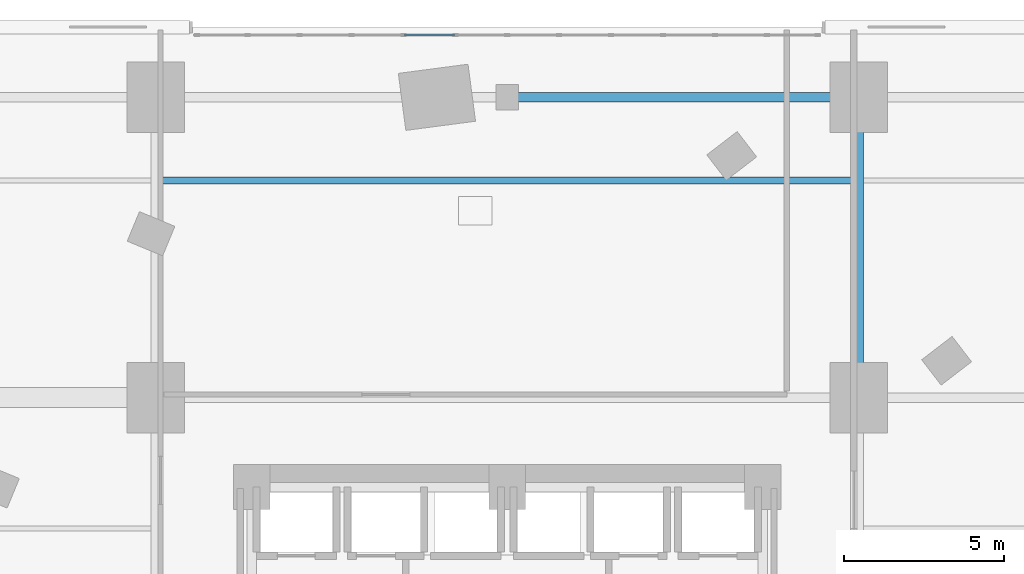
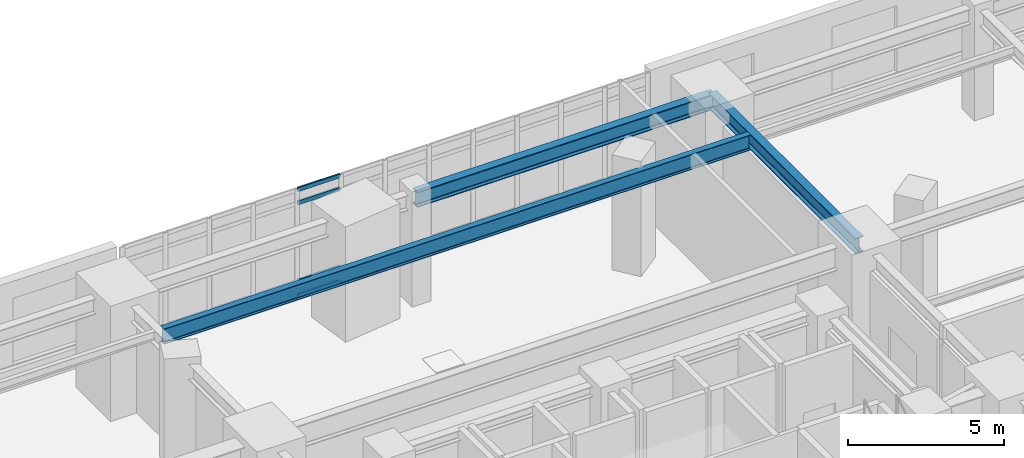
# One storey, part 9 of 19: 4 members, 3 beams, 1 element without a shape of its own.
"""IFC4 building model written with IfcOpenShell, lengths in metres."""

from ifc_helpers import new_model, si_unit, direction, frame, origin, origin_2d, place, context, subcontext, project, spatial, hollow_rectangle, i_section, extrude, material, layer, layer_set, material_profile, profile_set, type_object, element, aggregate, save


model = new_model("IFC4")

# Units and contexts
model_context = context("Model", 3, precision=1e-05, world=origin(), true_north=direction((0.0, 1.0)))
body_context = subcontext(model_context, "Body", "Model", "MODEL_VIEW")
ifc_project = project(units=[si_unit("LENGTHUNIT", "METRE"), si_unit("AREAUNIT", "SQUARE_METRE"), si_unit("VOLUMEUNIT", "CUBIC_METRE"), si_unit("PLANEANGLEUNIT", "RADIAN"), si_unit("MASSUNIT", "GRAM", prefix="KILO")], contexts=[model_context])

# Site, building, storey
site_placement = place(None, origin())
site = spatial("IfcSite", under=ifc_project, at=site_placement, CompositionType="ELEMENT")
building_placement = place(site_placement, origin())
building = spatial("IfcBuilding", under=site, at=building_placement, Name="Ndelora Gate Hotel", CompositionType="ELEMENT")
storey_placement = place(building_placement, frame((0.0, 0.0, 21.5)))
storey = spatial("IfcBuildingStorey", under=building, at=storey_placement, Name="L04", CompositionType="ELEMENT", Elevation=21.5)

# Beams
ifc_material_1 = material(Name="Steel S355", Category="steel")
ifc_material_profile_1 = material_profile(ifc_material_1, i_section(OverallWidth=0.300048828125, OverallDepth=0.60009765625, WebThickness=0.015380859375, FlangeThickness=0.030029296875, FilletRadius=0.027099609375, at=origin_2d()), Name="HEB 600")
ifc_profile_set_1 = profile_set([ifc_material_profile_1], Name="Steel S355")
beam_type_1 = type_object("IfcBeamType", Name="BM-POD-600", PredefinedType="BEAM", material=ifc_profile_set_1)
beam_1_placement = place(storey_placement, frame((11.0, 9.39990234375, 3.919921875), z_axis=(0.0, 1.0, 0.0), x_axis=(-1.0, 0.0, 0.0)))
element("IfcBeam", 1, at=beam_1_placement, inside=storey, type_object=beam_type_1, Name="L04 Podium Longitudinal Girder X=+11.0", PredefinedType="BEAM", context=body_context, shape_type="SweptSolid", body=[
    extrude(i_section(OverallWidth=0.300048828125, OverallDepth=0.60009765625, WebThickness=0.015380859375, FlangeThickness=0.030029296875, FilletRadius=0.027099609375, at=origin_2d()), origin(), (0.0, 0.0, 1.0), 9.400146484375),
])
beam_2_placement = place(storey_placement, frame((0.0, 18.800048828125, 3.919921875), z_axis=(1.0, 0.0, 0.0), x_axis=(0.0, 1.0, 0.0)))
element("IfcBeam", 2, at=beam_2_placement, inside=storey, type_object=beam_type_1, Name="L04 Podium Transverse Girder Y=+18.8", PredefinedType="BEAM", context=body_context, shape_type="SweptSolid", body=[
    extrude(i_section(OverallWidth=0.300048828125, OverallDepth=0.60009765625, WebThickness=0.015380859375, FlangeThickness=0.030029296875, FilletRadius=0.027099609375, at=origin_2d()), origin(), (0.0, 0.0, 1.0), 11.0),
])
ifc_material_profile_2 = material_profile(ifc_material_1, i_section(OverallWidth=0.219970703125, OverallDepth=0.60009765625, WebThickness=0.011962890625, FlangeThickness=0.01904296875, FilletRadius=0.02392578125, at=origin_2d()), Name="IPE 600")
ifc_profile_set_2 = profile_set([ifc_material_profile_2], Name="Steel S355")
beam_type_2 = type_object("IfcBeamType", Name="BM-RAD-600", PredefinedType="BEAM", material=ifc_profile_set_2)
beam_3_placement = place(storey_placement, frame((-10.85009765625, 16.199951171875, 3.919921875), z_axis=(1.0, 0.0, 0.0), x_axis=(0.0, 1.0, 0.0)))
element("IfcBeam", 3, at=beam_3_placement, inside=storey, type_object=beam_type_2, Name="L04 Podium Composite Secondary Joist 3", PredefinedType="BEAM", context=body_context, shape_type="SweptSolid", body=[
    extrude(i_section(OverallWidth=0.219970703125, OverallDepth=0.60009765625, WebThickness=0.011962890625, FlangeThickness=0.01904296875, FilletRadius=0.02392578125, at=origin_2d()), origin(), (0.0, 0.0, 1.0), 21.7001953125),
])

# Curtain wall, members
ifc_material_2 = material(Name="Bronze Anodised Unitised Aluminium and Low-E Glass", Category="aluminium")
ifc_layer = layer(ifc_material_2, 0.219970703125)
ifc_layer_set = layer_set([ifc_layer], Name="Bronze Anodised Unitised Aluminium and Low-E Glass")
curtain_wall_type = type_object("IfcCurtainWallType", Name="CW-SYS-2", PredefinedType="NOTDEFINED", material=ifc_layer_set)
curtain_wall_placement = place(storey_placement, origin())
curtain_wall = element("IfcCurtainWall", 4, at=curtain_wall_placement, inside=storey, type_object=curtain_wall_type, Name="L04 North Banquet Pre-Function Curtain Wall CW2", PredefinedType="NOTDEFINED")
ifc_material_3 = material(Name="Bronze Anodised Aluminium 6063-T6", Category="aluminium")
ifc_material_profile_3 = material_profile(ifc_material_3, hollow_rectangle(XDim=0.06494140625, YDim=0.159912109375, WallThickness=0.00390625, InnerFilletRadius=0.00390625, OuterFilletRadius=0.008056640625, at=origin_2d()), Name="ALU 160x65x4")
ifc_profile_set_3 = profile_set([ifc_material_profile_3], Name="Bronze Anodised Aluminium 6063-T6")
member_type = type_object("IfcMemberType", Name="MB-CW-TRN150", PredefinedType="USERDEFINED", material=ifc_profile_set_3)
member_1_placement = place(storey_placement, frame((-1.654052734375, 20.75, 0.032470703125), z_axis=(-1.0, 0.0, 0.0), x_axis=(0.0, -1.0, 0.0)))
member_1 = element("IfcMember", 5, at=member_1_placement, type_object=member_type, Name="CW2 transom 8.1", ObjectType="TRANSOM", PredefinedType="USERDEFINED", context=body_context, shape_type="SweptSolid", body=[
    extrude(hollow_rectangle(XDim=0.06494140625, YDim=0.159912109375, WallThickness=0.00390625, InnerFilletRadius=0.00390625, OuterFilletRadius=0.008056640625, at=origin_2d()), origin(), (0.0, 0.0, 1.0), 1.56689453125),
])
member_2_placement = place(storey_placement, frame((-1.654052734375, 20.75, 0.60009765625), z_axis=(-1.0, 0.0, 0.0), x_axis=(0.0, -1.0, 0.0)))
member_2 = element("IfcMember", 6, at=member_2_placement, type_object=member_type, Name="CW2 transom 8.2", ObjectType="TRANSOM", PredefinedType="USERDEFINED", context=body_context, shape_type="SweptSolid", body=[
    extrude(hollow_rectangle(XDim=0.06494140625, YDim=0.159912109375, WallThickness=0.00390625, InnerFilletRadius=0.00390625, OuterFilletRadius=0.008056640625, at=origin_2d()), origin(), (0.0, 0.0, 1.0), 1.56689453125),
])
member_3_placement = place(storey_placement, frame((-1.654052734375, 20.75, 3.669921875), z_axis=(-1.0, 0.0, 0.0), x_axis=(0.0, -1.0, 0.0)))
member_3 = element("IfcMember", 7, at=member_3_placement, type_object=member_type, Name="CW2 transom 8.3", ObjectType="TRANSOM", PredefinedType="USERDEFINED", context=body_context, shape_type="SweptSolid", body=[
    extrude(hollow_rectangle(XDim=0.06494140625, YDim=0.159912109375, WallThickness=0.00390625, InnerFilletRadius=0.00390625, OuterFilletRadius=0.008056640625, at=origin_2d()), origin(), (0.0, 0.0, 1.0), 1.56689453125),
])
member_4_placement = place(storey_placement, frame((-1.654052734375, 20.75, 4.1875), z_axis=(-1.0, 0.0, 0.0), x_axis=(0.0, -1.0, 0.0)))
member_4 = element("IfcMember", 8, at=member_4_placement, type_object=member_type, Name="CW2 transom 8.4", ObjectType="TRANSOM", PredefinedType="USERDEFINED", context=body_context, shape_type="SweptSolid", body=[
    extrude(hollow_rectangle(XDim=0.06494140625, YDim=0.159912109375, WallThickness=0.00390625, InnerFilletRadius=0.00390625, OuterFilletRadius=0.008056640625, at=origin_2d()), origin(), (0.0, 0.0, 1.0), 1.56689453125),
])
aggregate(curtain_wall, [member_1, member_2, member_3, member_4])

save(model, "model.ifc")
